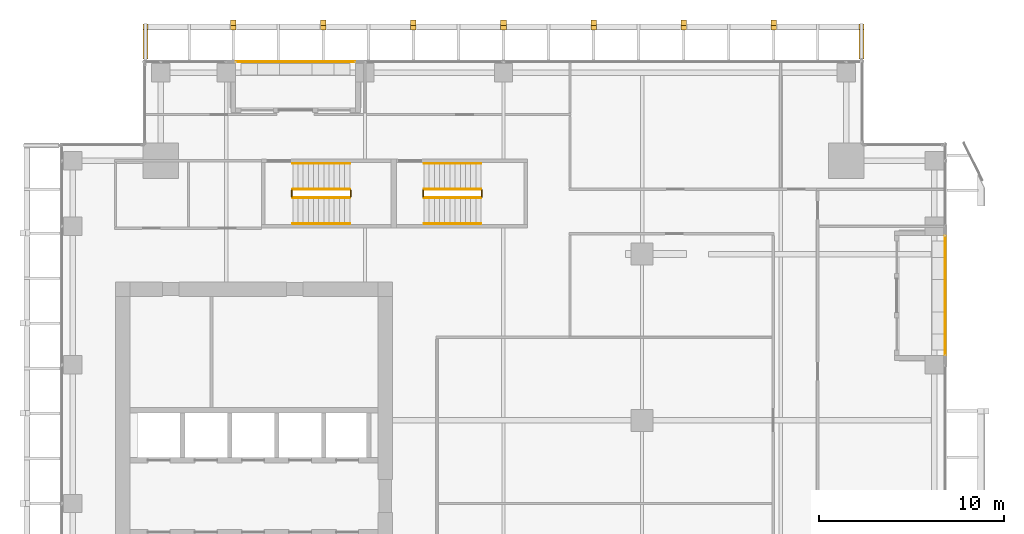
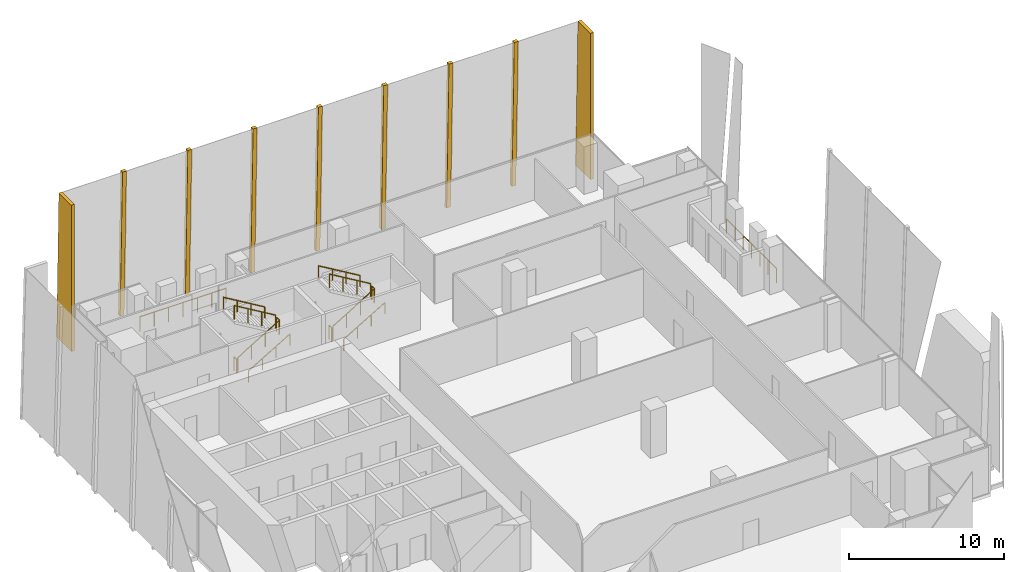
# One storey, part 34 of 35: 14 railings, 9 coverings.
"""IFC4 building model written with IfcOpenShell, lengths in metres."""

from ifc_helpers import new_model, si_unit, direction, frame, origin, origin_2d, place, context, subcontext, project, spatial, polyline, circle, outline, extrude, source, transform, mapped, material, layer, layer_set, type_object, element, save


model = new_model("IFC4")

# Units and contexts
model_context = context("Model", 3, precision=1e-05, world=origin(), true_north=direction((0.0, 1.0)))
body_context = subcontext(model_context, "Body", "Model", "MODEL_VIEW")
ifc_project = project(units=[si_unit("LENGTHUNIT", "METRE"), si_unit("AREAUNIT", "SQUARE_METRE"), si_unit("VOLUMEUNIT", "CUBIC_METRE"), si_unit("PLANEANGLEUNIT", "RADIAN"), si_unit("MASSUNIT", "GRAM", prefix="KILO")], contexts=[model_context])

# Site, building, storey
site_placement = place(None, origin())
site = spatial("IfcSite", under=ifc_project, at=site_placement, CompositionType="ELEMENT")
building_placement = place(site_placement, origin())
building = spatial("IfcBuilding", under=site, at=building_placement, Name="Khomas Fold Tower", CompositionType="ELEMENT")
storey_placement = place(building_placement, frame((0.0, 0.0, 188.699951171875)))
storey = spatial("IfcBuildingStorey", under=building, at=storey_placement, Name="L41", CompositionType="ELEMENT", Elevation=188.699951171875)

# Coverings
ifc_material_1 = material(Name="Natural stone cladding", Category="masonry")
ifc_layer = layer(ifc_material_1, 0.25)
ifc_layer_set = layer_set([ifc_layer], Name="Natural stone cladding")
covering_type = type_object("IfcCoveringType", Name="SK-Karibib marble stone mullion", PredefinedType="CLADDING", material=ifc_layer_set)
for number, where, z_axis, x_axis, name in (
    (1, (12.22509765625, 53.16650390625, 0.006591796875), (0.0, 0.999657230839, 0.026180543005), (1.0, 0.0, 0.0), "OUTER SKIN mullion L41 N2"),
    (2, (17.10009765625, 53.16650390625, 0.006591796875), (0.0, 0.999657230839, 0.026180543005), (1.0, 0.0, 0.0), "OUTER SKIN mullion L41 N4"),
    (3, (21.97509765625, 53.16650390625, 0.006591796875), (0.0, 0.999657230839, 0.026180543005), (1.0, 0.0, 0.0), "OUTER SKIN mullion L41 N6"),
    (4, (26.85009765625, 53.16650390625, 0.006591796875), (0.0, 0.999657230839, 0.026180543005), (1.0, 0.0, 0.0), "OUTER SKIN mullion L41 N8"),
    (5, (31.72509765625, 53.16650390625, 0.006591796875), (0.0, 0.999657230839, 0.026180543005), (1.0, 0.0, 0.0), "OUTER SKIN mullion L41 N10"),
    (6, (36.60009765625, 53.16650390625, 0.006591796875), (0.0, 0.999657230839, 0.026180543005), (1.0, 0.0, 0.0), "OUTER SKIN mullion L41 N12"),
    (7, (41.47509765625, 53.16650390625, 0.006591796875), (0.0, 0.999657230839, 0.026180543005), (1.0, 0.0, 0.0), "OUTER SKIN mullion L41 N14"),
):
    element("IfcCovering", number, at=place(storey_placement, frame(where, z_axis=z_axis, x_axis=x_axis)), inside=storey, type_object=covering_type, Name=name, PredefinedType="CLADDING", context=body_context, shape_type="SweptSolid", body=[
        extrude(outline(polyline([(0.0, 0.0), (0.2998046875, 0.0), (0.2998046875, -11.554009186164079), (0.0, -11.554009186164079), (0.0, 0.0)])), origin(), (0.0, 0.0, -1.0), 0.25),
    ])
covering_1_placement = place(storey_placement, frame((7.5, 51.050048828125, 11.550048828125), z_axis=(-1.0, 0.0, 0.0), x_axis=(0.0, 1.0, 0.0)))
element("IfcCovering", 8, at=covering_1_placement, inside=storey, type_object=covering_type, Name="OUTER SKIN return L41 N1", PredefinedType="CLADDING", context=body_context, shape_type="SweptSolid", body=[
    extrude(outline(polyline([(0.0, 0.0), (1.60400390625, 0.0), (1.906494140625, 11.550048828125), (0.0, 11.550048828125), (0.0, 0.0)])), origin(), (0.0, 0.0, -1.0), 0.25),
])
covering_2_placement = place(storey_placement, frame((46.5, 51.050048828125, 0.0), z_axis=(1.0, 0.0, 0.0), x_axis=(0.0, 1.0, 0.0)))
element("IfcCovering", 9, at=covering_2_placement, inside=storey, type_object=covering_type, Name="OUTER SKIN return L41 N2", PredefinedType="CLADDING", context=body_context, shape_type="SweptSolid", body=[
    extrude(outline(polyline([(0.0, 0.0), (1.906494140625, 0.0), (1.60400390625, 11.550048828125), (0.0, 11.550048828125), (0.0, 0.0)])), origin(), (0.0, 0.0, -1.0), 0.25),
])

# Railings
ifc_material_2 = material(Name="Powder-coated steel", Category="steel")
railing_type_1 = type_object("IfcRailingType", Name="Balcony guard", PredefinedType="GUARDRAIL", material=ifc_material_2)
shared_shape_1 = source(origin(), body_context, "Body", "SweptSolid", [
    extrude(circle(Radius=0.02490234375, at=origin_2d()), frame((0.0, 0.0, 1.125), z_axis=(1.0, 0.0, 0.0), x_axis=(0.0, 1.0, 0.0)), (0.0, 0.0, 1.0), 6.43994140625),
    extrude(circle(Radius=0.02001953125, at=origin_2d()), origin(), (0.0, 0.0, 1.0), 1.099853515625),
    extrude(circle(Radius=0.02001953125, at=origin_2d()), frame((1.0732421875, 0.0, 0.0)), (0.0, 0.0, 1.0), 1.099853515625),
    extrude(circle(Radius=0.02001953125, at=origin_2d()), frame((2.146728515625, 0.0, 0.0)), (0.0, 0.0, 1.0), 1.099853515625),
    extrude(circle(Radius=0.02001953125, at=origin_2d()), frame((3.219970703125, 0.0, 0.0)), (0.0, 0.0, 1.0), 1.099853515625),
    extrude(circle(Radius=0.02001953125, at=origin_2d()), frame((4.293212890625, 0.0, 0.0)), (0.0, 0.0, 1.0), 1.099853515625),
    extrude(circle(Radius=0.02001953125, at=origin_2d()), frame((5.36669921875, 0.0, 0.0)), (0.0, 0.0, 1.0), 1.099853515625),
    extrude(circle(Radius=0.02001953125, at=origin_2d()), frame((6.43994140625, 0.0, 0.0)), (0.0, 0.0, 1.0), 1.099853515625),
])
railing_1_placement = place(storey_placement, frame((12.530029296875, 50.89990234375, -0.044921875)))
element("IfcRailing", 10, at=railing_1_placement, inside=storey, type_object=railing_type_1, Name="Balcony guard BAL-L41-N1", PredefinedType="GUARDRAIL", context=body_context, shape_type="MappedRepresentation", body=[
    mapped(shared_shape_1, transform((0.0, 0.0, 0.0))),
])
shared_shape_2 = source(origin(), body_context, "Body", "SweptSolid", [
    extrude(circle(Radius=0.02490234375, at=origin_2d()), frame((0.0, 0.0, 1.125), z_axis=(0.0, 1.0, 0.0), x_axis=(-1.0, 0.0, 0.0)), (0.0, 0.0, 1.0), 6.43994140625),
    extrude(circle(Radius=0.02001953125, at=origin_2d()), origin(), (0.0, 0.0, 1.0), 1.099853515625),
    extrude(circle(Radius=0.02001953125, at=origin_2d()), frame((0.0, 1.0732421875, 0.0)), (0.0, 0.0, 1.0), 1.099853515625),
    extrude(circle(Radius=0.02001953125, at=origin_2d()), frame((0.0, 2.146728515625, 0.0)), (0.0, 0.0, 1.0), 1.099853515625),
    extrude(circle(Radius=0.02001953125, at=origin_2d()), frame((0.0, 3.219970703125, 0.0)), (0.0, 0.0, 1.0), 1.099853515625),
    extrude(circle(Radius=0.02001953125, at=origin_2d()), frame((0.0, 4.293212890625, 0.0)), (0.0, 0.0, 1.0), 1.099853515625),
    extrude(circle(Radius=0.02001953125, at=origin_2d()), frame((0.0, 5.36669921875, 0.0)), (0.0, 0.0, 1.0), 1.099853515625),
    extrude(circle(Radius=0.02001953125, at=origin_2d()), frame((0.0, 6.43994140625, 0.0)), (0.0, 0.0, 1.0), 1.099853515625),
])
railing_2_placement = place(storey_placement, frame((50.89990234375, 35.030029296875, -0.044921875)))
element("IfcRailing", 11, at=railing_2_placement, inside=storey, type_object=railing_type_1, Name="Balcony guard BAL-L41-E4", PredefinedType="GUARDRAIL", context=body_context, shape_type="MappedRepresentation", body=[
    mapped(shared_shape_2, transform((0.0, 0.0, 0.0))),
])
ifc_material_3 = material(Name="Steel balustrade", Category="steel")
railing_type_2 = type_object("IfcRailingType", Name="Stair guard", PredefinedType="GUARDRAIL", material=ifc_material_3)
shared_shape_3 = source(origin(), body_context, "Body", "SweptSolid", [
    extrude(circle(Radius=0.02392578125, at=origin_2d()), frame((0.0, 0.0, 1.076171875), z_axis=(0.0, 1.0, 0.0), x_axis=(-1.0, 0.0, 0.0)), (0.0, 0.0, 1.0), 0.349853515625),
    extrude(circle(Radius=0.02099609375, at=origin_2d()), origin(), (0.0, 0.0, 1.0), 1.052001953125),
    extrude(circle(Radius=0.02099609375, at=origin_2d()), frame((0.0, 0.349853515625, 0.0)), (0.0, 0.0, 1.0), 1.052001953125),
])
for number, where, name in (
    (12, (18.72998046875, 43.60009765625, 2.0), "L41 ST1 stair guard 2"),
    (13, (15.550048828125, 43.60009765625, 0.0), "L41 ST1 stair guard 4"),
    (14, (25.830078125, 43.60009765625, 2.0), "L41 ST3 stair guard 2"),
    (15, (22.64990234375, 43.60009765625, 0.0), "L41 ST3 stair guard 4"),
):
    element("IfcRailing", number, at=place(storey_placement, frame(where)), inside=storey, type_object=railing_type_2, Name=name, PredefinedType="GUARDRAIL", context=body_context, shape_type="MappedRepresentation", body=[
        mapped(shared_shape_3, transform((0.0, 0.0, 0.0))),
    ])
shared_shape_4 = source(origin(), body_context, "Body", "SweptSolid", [
    extrude(circle(Radius=0.02392578125, at=origin_2d()), frame((0.0, 0.0, 1.076171875), z_axis=(0.859290745958, 0.0, 0.51148745235), x_axis=(0.0, 1.0, 0.0)), (0.0, 0.0, 1.0), 3.584228515625),
    extrude(circle(Radius=0.02099609375, at=origin_2d()), origin(), (0.0, 0.0, 1.0), 1.052001953125),
    extrude(circle(Radius=0.02099609375, at=origin_2d()), frame((1.026611328125, 0.0, 0.611083984375)), (0.0, 0.0, 1.0), 1.052001953125),
    extrude(circle(Radius=0.02099609375, at=origin_2d()), frame((2.05322265625, 0.0, 1.22216796875)), (0.0, 0.0, 1.0), 1.052001953125),
    extrude(circle(Radius=0.02099609375, at=origin_2d()), frame((3.079833984375, 0.0, 1.833251953125)), (0.0, 0.0, 1.0), 1.052001953125),
])
railing_3_placement = place(storey_placement, frame((15.60009765625, 43.550048828125, 0.166748046875)))
element("IfcRailing", 16, at=railing_3_placement, inside=storey, type_object=railing_type_2, Name="L41 ST1 stair guard 1", PredefinedType="GUARDRAIL", context=body_context, shape_type="MappedRepresentation", body=[
    mapped(shared_shape_4, transform((0.0, 0.0, 0.0))),
])
shared_shape_5 = source(origin(), body_context, "Body", "SweptSolid", [
    extrude(circle(Radius=0.02392578125, at=origin_2d()), frame((0.0, 0.0, 1.076171875), z_axis=(-0.859290745958, 0.0, 0.51148745235), x_axis=(0.0, -1.0, 0.0)), (0.0, 0.0, 1.0), 3.584228515625),
    extrude(circle(Radius=0.02099609375, at=origin_2d()), origin(), (0.0, 0.0, 1.0), 1.052001953125),
    extrude(circle(Radius=0.02099609375, at=origin_2d()), frame((-1.026611328125, 0.0, 0.611083984375)), (0.0, 0.0, 1.0), 1.052001953125),
    extrude(circle(Radius=0.02099609375, at=origin_2d()), frame((-2.05322265625, 0.0, 1.22216796875)), (0.0, 0.0, 1.0), 1.052001953125),
    extrude(circle(Radius=0.02099609375, at=origin_2d()), frame((-3.079833984375, 0.0, 1.833251953125)), (0.0, 0.0, 1.0), 1.052001953125),
])
railing_4_placement = place(storey_placement, frame((18.679931640625, 44.0, 2.166748046875)))
element("IfcRailing", 17, at=railing_4_placement, inside=storey, type_object=railing_type_2, Name="L41 ST1 stair guard 3", PredefinedType="GUARDRAIL", context=body_context, shape_type="MappedRepresentation", body=[
    mapped(shared_shape_5, transform((0.0, 0.0, 0.0))),
])
ifc_material_4 = material(Name="Steel handrail", Category="steel")
railing_type_3 = type_object("IfcRailingType", Name="Stair handrail", PredefinedType="HANDRAIL", material=ifc_material_4)
shared_shape_6 = source(origin(), body_context, "Body", "SweptSolid", [
    extrude(circle(Radius=0.02392578125, at=origin_2d()), frame((0.0, 0.0, 0.8759765625), z_axis=(0.859290745958, 0.0, 0.51148745235), x_axis=(0.0, 1.0, 0.0)), (0.0, 0.0, 1.0), 3.584228515625),
    extrude(circle(Radius=0.02099609375, at=origin_2d()), origin(), (0.0, 0.0, 1.0), 0.851806640625),
    extrude(circle(Radius=0.02099609375, at=origin_2d()), frame((1.026611328125, 0.0, 0.611083984375)), (0.0, 0.0, 1.0), 0.851806640625),
    extrude(circle(Radius=0.02099609375, at=origin_2d()), frame((2.05322265625, 0.0, 1.22216796875)), (0.0, 0.0, 1.0), 0.851806640625),
    extrude(circle(Radius=0.02099609375, at=origin_2d()), frame((3.079833984375, 0.0, 1.833251953125)), (0.0, 0.0, 1.0), 0.851806640625),
])
railing_5_placement = place(storey_placement, frame((15.60009765625, 42.14990234375, 0.166748046875)))
element("IfcRailing", 18, at=railing_5_placement, inside=storey, type_object=railing_type_3, Name="L41 ST1 stair handrail 1", PredefinedType="HANDRAIL", context=body_context, shape_type="MappedRepresentation", body=[
    mapped(shared_shape_6, transform((0.0, 0.0, 0.0))),
])
shared_shape_7 = source(origin(), body_context, "Body", "SweptSolid", [
    extrude(circle(Radius=0.02392578125, at=origin_2d()), frame((0.0, 0.0, 0.8759765625), z_axis=(-0.859290745958, 0.0, 0.51148745235), x_axis=(0.0, -1.0, 0.0)), (0.0, 0.0, 1.0), 3.584228515625),
    extrude(circle(Radius=0.02099609375, at=origin_2d()), origin(), (0.0, 0.0, 1.0), 0.851806640625),
    extrude(circle(Radius=0.02099609375, at=origin_2d()), frame((-1.026611328125, 0.0, 0.611083984375)), (0.0, 0.0, 1.0), 0.851806640625),
    extrude(circle(Radius=0.02099609375, at=origin_2d()), frame((-2.05322265625, 0.0, 1.22216796875)), (0.0, 0.0, 1.0), 0.851806640625),
    extrude(circle(Radius=0.02099609375, at=origin_2d()), frame((-3.079833984375, 0.0, 1.833251953125)), (0.0, 0.0, 1.0), 0.851806640625),
])
railing_6_placement = place(storey_placement, frame((18.679931640625, 45.39990234375, 2.166748046875)))
element("IfcRailing", 19, at=railing_6_placement, inside=storey, type_object=railing_type_3, Name="L41 ST1 stair handrail 2", PredefinedType="HANDRAIL", context=body_context, shape_type="MappedRepresentation", body=[
    mapped(shared_shape_7, transform((0.0, 0.0, 0.0))),
])
shared_shape_8 = source(origin(), body_context, "Body", "SweptSolid", [
    extrude(circle(Radius=0.02392578125, at=origin_2d()), frame((0.0, 0.0, 1.076171875), z_axis=(0.859308565015, 0.0, 0.511457515432), x_axis=(0.0, 1.0, 0.0)), (0.0, 0.0, 1.0), 3.58447265625),
    extrude(circle(Radius=0.02099609375, at=origin_2d()), origin(), (0.0, 0.0, 1.0), 1.052001953125),
    extrude(circle(Radius=0.02099609375, at=origin_2d()), frame((1.026611328125, 0.0, 0.611083984375)), (0.0, 0.0, 1.0), 1.052001953125),
    extrude(circle(Radius=0.02099609375, at=origin_2d()), frame((2.053466796875, 0.0, 1.22216796875)), (0.0, 0.0, 1.0), 1.052001953125),
    extrude(circle(Radius=0.02099609375, at=origin_2d()), frame((3.080078125, 0.0, 1.833251953125)), (0.0, 0.0, 1.0), 1.052001953125),
])
railing_7_placement = place(storey_placement, frame((22.699951171875, 43.550048828125, 0.166748046875)))
element("IfcRailing", 20, at=railing_7_placement, inside=storey, type_object=railing_type_2, Name="L41 ST3 stair guard 1", PredefinedType="GUARDRAIL", context=body_context, shape_type="MappedRepresentation", body=[
    mapped(shared_shape_8, transform((0.0, 0.0, 0.0))),
])
shared_shape_9 = source(origin(), body_context, "Body", "SweptSolid", [
    extrude(circle(Radius=0.02392578125, at=origin_2d()), frame((0.0, 0.0, 1.076171875), z_axis=(-0.859308565015, 0.0, 0.511457515432), x_axis=(0.0, -1.0, 0.0)), (0.0, 0.0, 1.0), 3.58447265625),
    extrude(circle(Radius=0.02099609375, at=origin_2d()), origin(), (0.0, 0.0, 1.0), 1.052001953125),
    extrude(circle(Radius=0.02099609375, at=origin_2d()), frame((-1.026611328125, 0.0, 0.611083984375)), (0.0, 0.0, 1.0), 1.052001953125),
    extrude(circle(Radius=0.02099609375, at=origin_2d()), frame((-2.053466796875, 0.0, 1.22216796875)), (0.0, 0.0, 1.0), 1.052001953125),
    extrude(circle(Radius=0.02099609375, at=origin_2d()), frame((-3.080078125, 0.0, 1.833251953125)), (0.0, 0.0, 1.0), 1.052001953125),
])
railing_8_placement = place(storey_placement, frame((25.780029296875, 44.0, 2.166748046875)))
element("IfcRailing", 21, at=railing_8_placement, inside=storey, type_object=railing_type_2, Name="L41 ST3 stair guard 3", PredefinedType="GUARDRAIL", context=body_context, shape_type="MappedRepresentation", body=[
    mapped(shared_shape_9, transform((0.0, 0.0, 0.0))),
])
shared_shape_10 = source(origin(), body_context, "Body", "SweptSolid", [
    extrude(circle(Radius=0.02392578125, at=origin_2d()), frame((0.0, 0.0, 0.8759765625), z_axis=(0.859308565015, 0.0, 0.511457515432), x_axis=(0.0, 1.0, 0.0)), (0.0, 0.0, 1.0), 3.58447265625),
    extrude(circle(Radius=0.02099609375, at=origin_2d()), origin(), (0.0, 0.0, 1.0), 0.851806640625),
    extrude(circle(Radius=0.02099609375, at=origin_2d()), frame((1.026611328125, 0.0, 0.611083984375)), (0.0, 0.0, 1.0), 0.851806640625),
    extrude(circle(Radius=0.02099609375, at=origin_2d()), frame((2.053466796875, 0.0, 1.22216796875)), (0.0, 0.0, 1.0), 0.851806640625),
    extrude(circle(Radius=0.02099609375, at=origin_2d()), frame((3.080078125, 0.0, 1.833251953125)), (0.0, 0.0, 1.0), 0.851806640625),
])
railing_9_placement = place(storey_placement, frame((22.699951171875, 42.14990234375, 0.166748046875)))
element("IfcRailing", 22, at=railing_9_placement, inside=storey, type_object=railing_type_3, Name="L41 ST3 stair handrail 1", PredefinedType="HANDRAIL", context=body_context, shape_type="MappedRepresentation", body=[
    mapped(shared_shape_10, transform((0.0, 0.0, 0.0))),
])
shared_shape_11 = source(origin(), body_context, "Body", "SweptSolid", [
    extrude(circle(Radius=0.02392578125, at=origin_2d()), frame((0.0, 0.0, 0.8759765625), z_axis=(-0.859308565015, 0.0, 0.511457515432), x_axis=(0.0, -1.0, 0.0)), (0.0, 0.0, 1.0), 3.58447265625),
    extrude(circle(Radius=0.02099609375, at=origin_2d()), origin(), (0.0, 0.0, 1.0), 0.851806640625),
    extrude(circle(Radius=0.02099609375, at=origin_2d()), frame((-1.026611328125, 0.0, 0.611083984375)), (0.0, 0.0, 1.0), 0.851806640625),
    extrude(circle(Radius=0.02099609375, at=origin_2d()), frame((-2.053466796875, 0.0, 1.22216796875)), (0.0, 0.0, 1.0), 0.851806640625),
    extrude(circle(Radius=0.02099609375, at=origin_2d()), frame((-3.080078125, 0.0, 1.833251953125)), (0.0, 0.0, 1.0), 0.851806640625),
])
railing_10_placement = place(storey_placement, frame((25.780029296875, 45.39990234375, 2.166748046875)))
element("IfcRailing", 23, at=railing_10_placement, inside=storey, type_object=railing_type_3, Name="L41 ST3 stair handrail 2", PredefinedType="HANDRAIL", context=body_context, shape_type="MappedRepresentation", body=[
    mapped(shared_shape_11, transform((0.0, 0.0, 0.0))),
])

save(model, "model.ifc")
